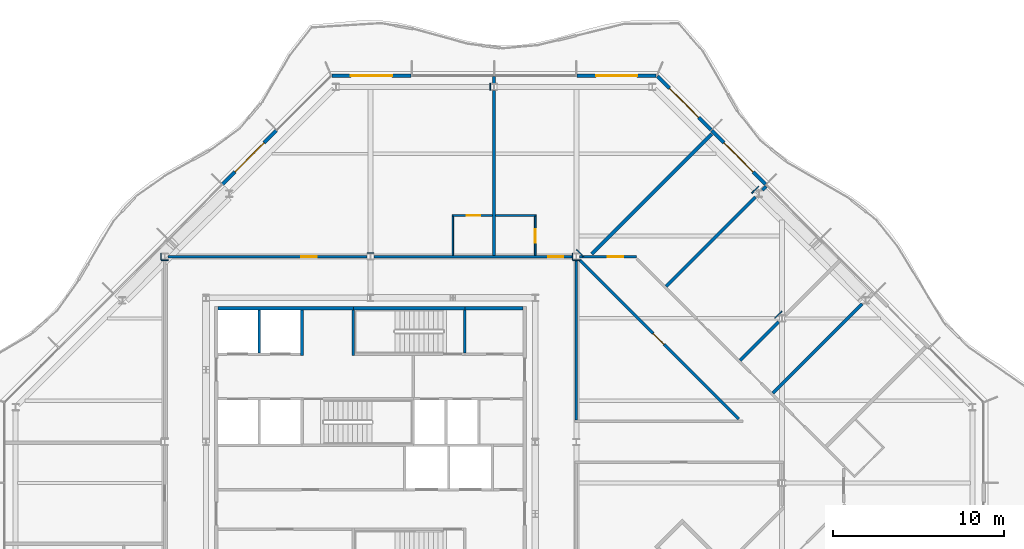
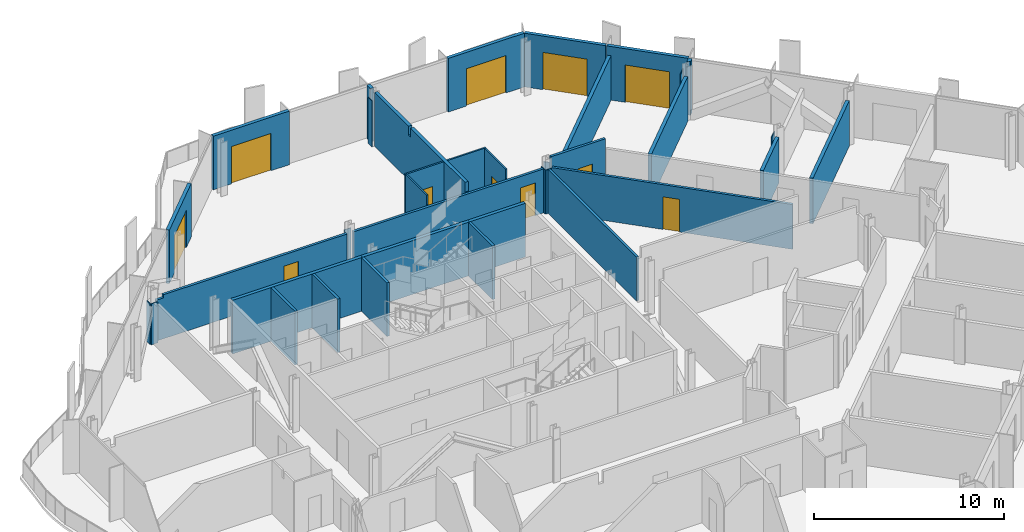
# One storey, part 11 of 17: 37 walls, 11 doors, 11 openings.
"""IFC4 building model written with IfcOpenShell, lengths in metres."""

from ifc_helpers import new_model, si_unit, direction, frame, frame_2d, origin, place, context, subcontext, project, spatial, polyline, rectangle, outline, extrude, material, layer, layer_set, type_object, element, fill, save


model = new_model("IFC4")

# Units and contexts
model_context = context("Model", 3, precision=1e-05, world=origin(), true_north=direction((0.0, 1.0)))
body_context = subcontext(model_context, "Body", "Model", "MODEL_VIEW")
ifc_project = project(units=[si_unit("LENGTHUNIT", "METRE"), si_unit("AREAUNIT", "SQUARE_METRE"), si_unit("VOLUMEUNIT", "CUBIC_METRE"), si_unit("PLANEANGLEUNIT", "RADIAN"), si_unit("MASSUNIT", "GRAM", prefix="KILO")], contexts=[model_context])

# Site, building, storey
site_placement = place(None, origin())
site = spatial("IfcSite", under=ifc_project, at=site_placement, CompositionType="ELEMENT")
building_placement = place(site_placement, origin())
building = spatial("IfcBuilding", under=site, at=building_placement, Name="Cairn Pilgrim Tower", CompositionType="ELEMENT")
storey_placement = place(building_placement, frame((0.0, 0.0, 250.199951171875)))
storey = spatial("IfcBuildingStorey", under=building, at=storey_placement, Name="L64", CompositionType="ELEMENT", Elevation=250.199951171875)

# Wall, opening, door
ifc_material_1 = material(Name="Bronze anodised aluminium insulated sandwich panel with mineral wool fill", Category="aluminium")
ifc_layer_1 = layer(ifc_material_1, 0.199951171875)
ifc_layer_set_1 = layer_set([ifc_layer_1], Name="BRONZE INFILL FRAME WALL 200")
wall_type_1 = type_object("IfcWallType", Name="BRONZE INFILL FRAME WALL 200", PredefinedType="NOTDEFINED", material=ifc_layer_set_1)
wall_1_placement = place(storey_placement, frame((30.226318359375, 17.419921875, 0.0), z_axis=(0.0, 0.0, 1.0), x_axis=(-0.707079231393, 0.707134329907, 0.0)))
wall_1 = element("IfcWall", 1, at=wall_1_placement, inside=storey, type_object=wall_type_1, Name="Bronze infill frame wall IW-NE5", PredefinedType="NOTDEFINED", context=body_context, shape_type="SweptSolid", body=[
    extrude(rectangle(XDim=4.430908203125, YDim=0.199951171875, at=frame_2d((2.21533203125, 0.0))), origin(), (0.0, 0.0, 1.0), 3.449951171875),
])
opening_1_placement = place(wall_1_placement, frame((1.01513671875, 0.0, 0.0)))
opening_1 = element("IfcOpeningElement", 2, at=opening_1_placement, cuts=wall_1, Name="Opening 6410B", PredefinedType="OPENING", context=body_context, shape_type="SweptSolid", body=[
    extrude(rectangle(XDim=2.39990234375, YDim=2.39990234375, at=frame_2d((1.199951171875, 1.199951171875))), frame((0.0, 0.10986328125, 0.0), z_axis=(0.0, -1.0, 0.0), x_axis=(1.0, 0.0, 0.0)), (0.0, 0.0, 1.0), 0.219970703125),
])
ifc_material_2 = material(Name="Bronze anodised aluminium frame with tinted low-E glass", Category="aluminium")
door_type_1 = type_object("IfcDoorType", Name="BALCONY SLIDING DOOR 2400x2400", OperationType="DOUBLE_DOOR_SLIDING", PredefinedType="DOOR", material=ifc_material_2)
door_1_placement = place(opening_1_placement, origin())
door_1 = element("IfcDoor", 3, at=door_1_placement, inside=storey, type_object=door_type_1, Name="Balcony sliding door 6410B", OperationType="SINGLE_SWING_LEFT", OverallHeight=2.39990234375, OverallWidth=2.39990234375, PredefinedType="DOOR", context=body_context, shape_type="SweptSolid", body=[
    extrude(rectangle(XDim=2.39990234375, YDim=2.39990234375, at=frame_2d((1.199951171875, 1.199951171875))), frame((0.0, 0.02490234375, 0.0), z_axis=(0.0, -1.0, 0.0), x_axis=(1.0, 0.0, 0.0)), (0.0, 0.0, 1.0), 0.050048828125),
])
fill(opening_1, door_1)

wall_2_placement = place(storey_placement, frame((27.05078125, 20.595703125, 0.0), z_axis=(0.0, 0.0, 1.0), x_axis=(-0.707106781187, 0.707106781187, 0.0)))
wall_2 = element("IfcWall", 4, at=wall_2_placement, inside=storey, type_object=wall_type_1, Name="Bronze infill frame wall IW-NE6", PredefinedType="NOTDEFINED", context=body_context, shape_type="SweptSolid", body=[
    extrude(rectangle(XDim=4.4208984375, YDim=0.199951171875, at=frame_2d((2.21044921875, 0.0))), origin(), (0.0, 0.0, 1.0), 3.449951171875),
])
opening_2_placement = place(wall_2_placement, frame((1.015625, 0.0, 0.0)))
opening_2 = element("IfcOpeningElement", 5, at=opening_2_placement, cuts=wall_2, Name="Opening 6411B2", PredefinedType="OPENING", context=body_context, shape_type="SweptSolid", body=[
    extrude(rectangle(XDim=2.39990234375, YDim=2.39990234375, at=frame_2d((1.199951171875, 1.199951171875))), frame((0.0, 0.10986328125, 0.0), z_axis=(0.0, -1.0, 0.0), x_axis=(1.0, 0.0, 0.0)), (0.0, 0.0, 1.0), 0.219970703125),
])
door_2_placement = place(opening_2_placement, origin())
door_2 = element("IfcDoor", 6, at=door_2_placement, inside=storey, type_object=door_type_1, Name="Balcony sliding door 6411B2", OperationType="SINGLE_SWING_LEFT", OverallHeight=2.39990234375, OverallWidth=2.39990234375, PredefinedType="DOOR", context=body_context, shape_type="SweptSolid", body=[
    extrude(rectangle(XDim=2.39990234375, YDim=2.39990234375, at=frame_2d((1.199951171875, 1.199951171875))), frame((0.0, 0.02490234375, 0.0), z_axis=(0.0, -1.0, 0.0), x_axis=(1.0, 0.0, 0.0)), (0.0, 0.0, 1.0), 0.050048828125),
])
fill(opening_2, door_2)

wall_3_placement = place(storey_placement, frame((23.8564453125, 23.75, 0.0), z_axis=(0.0, 0.0, 1.0), x_axis=(-1.0, 0.0, 0.0)))
wall_3 = element("IfcWall", 7, at=wall_3_placement, inside=storey, type_object=wall_type_1, Name="Bronze infill frame wall IW-N1", PredefinedType="NOTDEFINED", context=body_context, shape_type="SweptSolid", body=[
    extrude(rectangle(XDim=4.62646484375, YDim=0.199951171875, at=frame_2d((2.313232421875, 0.0))), origin(), (0.0, 0.0, 1.0), 3.449951171875),
])
opening_3_placement = place(wall_3_placement, frame((1.1083984375, 0.0, 0.0)))
opening_3 = element("IfcOpeningElement", 8, at=opening_3_placement, cuts=wall_3, Name="Opening 6411B", PredefinedType="OPENING", context=body_context, shape_type="SweptSolid", body=[
    extrude(rectangle(XDim=2.39990234375, YDim=2.39990234375, at=frame_2d((1.199951171875, 1.199951171875))), frame((0.0, 0.10986328125, 0.0), z_axis=(0.0, -1.0, 0.0), x_axis=(1.0, 0.0, 0.0)), (0.0, 0.0, 1.0), 0.219970703125),
])
door_3_placement = place(opening_3_placement, origin())
door_3 = element("IfcDoor", 9, at=door_3_placement, inside=storey, type_object=door_type_1, Name="Balcony sliding door 6411B", OperationType="SINGLE_SWING_LEFT", OverallHeight=2.39990234375, OverallWidth=2.39990234375, PredefinedType="DOOR", context=body_context, shape_type="SweptSolid", body=[
    extrude(rectangle(XDim=2.39990234375, YDim=2.39990234375, at=frame_2d((1.199951171875, 1.199951171875))), frame((0.0, 0.02490234375, 0.0), z_axis=(0.0, -1.0, 0.0), x_axis=(1.0, 0.0, 0.0)), (0.0, 0.0, 1.0), 0.050048828125),
])
fill(opening_3, door_3)

wall_4_placement = place(storey_placement, frame((9.570068359375, 23.75, 0.0), z_axis=(0.0, 0.0, 1.0), x_axis=(-1.0, 0.0, 0.0)))
wall_4 = element("IfcWall", 10, at=wall_4_placement, inside=storey, type_object=wall_type_1, Name="Bronze infill frame wall IW-N4", PredefinedType="NOTDEFINED", context=body_context, shape_type="SweptSolid", body=[
    extrude(rectangle(XDim=4.62646484375, YDim=0.199951171875, at=frame_2d((2.313232421875, 0.0))), origin(), (0.0, 0.0, 1.0), 3.449951171875),
])
opening_4_placement = place(wall_4_placement, frame((1.117919921875, 0.0, 0.0)))
opening_4 = element("IfcOpeningElement", 11, at=opening_4_placement, cuts=wall_4, Name="Opening 6412B", PredefinedType="OPENING", context=body_context, shape_type="SweptSolid", body=[
    extrude(rectangle(XDim=2.39990234375, YDim=2.39990234375, at=frame_2d((1.199951171875, 1.199951171875))), frame((0.0, 0.10986328125, 0.0), z_axis=(0.0, -1.0, 0.0), x_axis=(1.0, 0.0, 0.0)), (0.0, 0.0, 1.0), 0.219970703125),
])
door_4_placement = place(opening_4_placement, origin())
door_4 = element("IfcDoor", 12, at=door_4_placement, inside=storey, type_object=door_type_1, Name="Balcony sliding door 6412B", OperationType="SINGLE_SWING_LEFT", OverallHeight=2.39990234375, OverallWidth=2.39990234375, PredefinedType="DOOR", context=body_context, shape_type="SweptSolid", body=[
    extrude(rectangle(XDim=2.39990234375, YDim=2.39990234375, at=frame_2d((1.199951171875, 1.199951171875))), frame((0.0, 0.02490234375, 0.0), z_axis=(0.0, -1.0, 0.0), x_axis=(1.0, 0.0, 0.0)), (0.0, 0.0, 1.0), 0.050048828125),
])
fill(opening_4, door_4)

wall_5_placement = place(storey_placement, frame((1.706787109375, 20.55322265625, 0.0), z_axis=(0.0, 0.0, 1.0), x_axis=(-0.707106781187, -0.707106781187, 0.0)))
wall_5 = element("IfcWall", 13, at=wall_5_placement, inside=storey, type_object=wall_type_1, Name="Bronze infill frame wall IW-NW2", PredefinedType="NOTDEFINED", context=body_context, shape_type="SweptSolid", body=[
    extrude(rectangle(XDim=4.43115234375, YDim=0.199951171875, at=frame_2d((2.215576171875, 0.0))), origin(), (0.0, 0.0, 1.0), 3.449951171875),
])
opening_5_placement = place(wall_5_placement, frame((1.015380859375, 0.0, 0.0)))
opening_5 = element("IfcOpeningElement", 14, at=opening_5_placement, cuts=wall_5, Name="Opening 6412B2", PredefinedType="OPENING", context=body_context, shape_type="SweptSolid", body=[
    extrude(rectangle(XDim=2.39990234375, YDim=2.39990234375, at=frame_2d((1.199951171875, 1.199951171875))), frame((0.0, 0.10986328125, 0.0), z_axis=(0.0, -1.0, 0.0), x_axis=(1.0, 0.0, 0.0)), (0.0, 0.0, 1.0), 0.219970703125),
])
door_5_placement = place(opening_5_placement, origin())
door_5 = element("IfcDoor", 15, at=door_5_placement, inside=storey, type_object=door_type_1, Name="Balcony sliding door 6412B2", OperationType="SINGLE_SWING_LEFT", OverallHeight=2.39990234375, OverallWidth=2.39990234375, PredefinedType="DOOR", context=body_context, shape_type="SweptSolid", body=[
    extrude(rectangle(XDim=2.39990234375, YDim=2.39990234375, at=frame_2d((1.199951171875, 1.199951171875))), frame((0.0, 0.02490234375, 0.0), z_axis=(0.0, -1.0, 0.0), x_axis=(1.0, 0.0, 0.0)), (0.0, 0.0, 1.0), 0.050048828125),
])
fill(opening_5, door_5)

# Walls
ifc_material_3 = material(Name="Concrete C32/40", Category="concrete")
ifc_layer_2 = layer(ifc_material_3, 0.199951171875)
ifc_layer_set_2 = layer_set([ifc_layer_2], Name="CORE OUTER WALL 200 EI 120")
wall_type_2 = type_object("IfcWallType", Name="CORE OUTER WALL 200 EI 120", PredefinedType="SOLIDWALL", material=ifc_layer_set_2)
wall_6_placement = place(storey_placement, frame((-1.699951171875, 10.199951171875, 0.0), z_axis=(0.0, 0.0, 1.0), x_axis=(1.0, 0.0, 0.0)))
element("IfcWall", 16, at=wall_6_placement, inside=storey, type_object=wall_type_2, Name="CW:L64:H12-1", PredefinedType="SOLIDWALL", context=body_context, shape_type="SweptSolid", body=[
    extrude(rectangle(XDim=7.89990234375, YDim=0.199951171875, at=frame_2d((3.949951171875, 0.0))), origin(), (0.0, 0.0, 1.0), 3.449951171875),
])
wall_7_placement = place(storey_placement, frame((12.699951171875, 10.199951171875, 0.0), z_axis=(0.0, 0.0, 1.0), x_axis=(1.0, 0.0, 0.0)))
element("IfcWall", 17, at=wall_7_placement, inside=storey, type_object=wall_type_2, Name="CW:L64:H12-3", PredefinedType="SOLIDWALL", context=body_context, shape_type="SweptSolid", body=[
    extrude(rectangle(XDim=3.400146484375, YDim=0.199951171875, at=frame_2d((1.7001953125, 0.0))), origin(), (0.0, 0.0, 1.0), 3.449951171875),
])
ifc_layer_3 = layer(ifc_material_3, 0.14990234375)
ifc_layer_set_3 = layer_set([ifc_layer_3], Name="CORE SHAFT WALL 150 EI 120")
wall_type_3 = type_object("IfcWallType", Name="CORE SHAFT WALL 150 EI 120", PredefinedType="SOLIDWALL", material=ifc_layer_set_3)
wall_8_placement = place(storey_placement, frame((0.699951171875, 7.574951171875, 0.0), z_axis=(0.0, 0.0, 1.0), x_axis=(0.0, 1.0, 0.0)))
element("IfcWall", 18, at=wall_8_placement, inside=storey, type_object=wall_type_3, Name="CW:L64:V15", PredefinedType="SOLIDWALL", context=body_context, shape_type="SweptSolid", body=[
    extrude(rectangle(XDim=2.525146484375, YDim=0.14990234375, at=frame_2d((1.2626953125, 0.0))), origin(), (0.0, 0.0, 1.0), 3.449951171875),
])
wall_9_placement = place(storey_placement, frame((3.199951171875, 7.425048828125, 0.0), z_axis=(0.0, 0.0, 1.0), x_axis=(0.0, 1.0, 0.0)))
element("IfcWall", 19, at=wall_9_placement, inside=storey, type_object=wall_type_3, Name="CW:L64:V17", PredefinedType="SOLIDWALL", context=body_context, shape_type="SweptSolid", body=[
    extrude(rectangle(XDim=2.675048828125, YDim=0.14990234375, at=frame_2d((1.33740234375, 0.0))), origin(), (0.0, 0.0, 1.0), 3.449951171875),
])
ifc_material_4 = material(Name="Gypsum partition")
ifc_layer_4 = layer(ifc_material_4, 0.10009765625)
ifc_layer_set_4 = layer_set([ifc_layer_4], Name="PARTITION 100 DRYWALL")
wall_type_4 = type_object("IfcWallType", Name="PARTITION 100 DRYWALL", PredefinedType="PARTITIONING", material=ifc_layer_set_4)
wall_10_placement = place(storey_placement, frame((12.0, 13.27490234375, 0.0), z_axis=(0.0, 0.0, 1.0), x_axis=(0.0, 1.0, 0.0)))
element("IfcWall", 20, at=wall_10_placement, inside=storey, type_object=wall_type_4, Name="PARTITION W073", PredefinedType="PARTITIONING", context=body_context, shape_type="SweptSolid", body=[
    extrude(outline(polyline([(0.0, 0.0), (2.275146484375, 0.0), (2.27490234375, 3.449951171875), (0.074951171875, 3.449951171875), (0.072998046875, 2.830078125), (0.0, 2.830078125), (0.0, 0.0)])), frame((0.0, 0.050048828125, 0.0), z_axis=(0.0, -1.0, 0.0), x_axis=(1.0, 0.0, 0.0)), (0.0, 0.0, 1.0), 0.10009765625),
])

# Wall, opening, door
wall_11_placement = place(storey_placement, frame((16.800048828125, 13.27490234375, 0.0), z_axis=(0.0, 0.0, 1.0), x_axis=(0.0, 1.0, 0.0)))
wall_11 = element("IfcWall", 21, at=wall_11_placement, inside=storey, type_object=wall_type_4, Name="PARTITION W075", PredefinedType="PARTITIONING", context=body_context, shape_type="SweptSolid", body=[
    extrude(outline(polyline([(0.0, 0.0), (2.275146484375, 0.0), (2.27490234375, 3.449951171875), (0.074951171875, 3.449951171875), (0.072998046875, 2.830078125), (0.0, 2.830078125), (0.0, 0.0)])), frame((0.0, 0.050048828125, 0.0), z_axis=(0.0, -1.0, 0.0), x_axis=(1.0, 0.0, 0.0)), (0.0, 0.0, 1.0), 0.10009765625),
])
opening_6_placement = place(wall_11_placement, frame((0.72509765625, 0.0, 0.0)))
opening_6 = element("IfcOpeningElement", 22, at=opening_6_placement, cuts=wall_11, Name="Opening 6411A", PredefinedType="OPENING", context=body_context, shape_type="SweptSolid", body=[
    extrude(rectangle(XDim=0.800048828125, YDim=2.10009765625, at=frame_2d((0.39990234375, 1.050048828125))), frame((0.0, 0.06005859375, 0.0), z_axis=(0.0, -1.0, 0.0), x_axis=(1.0, 0.0, 0.0)), (0.0, 0.0, 1.0), 0.1201171875),
])
ifc_material_5 = material(Name="Timber door leaf", Category="wood")
door_type_2 = type_object("IfcDoorType", Name="WC DOOR 800x2100", OperationType="NOTDEFINED", PredefinedType="DOOR", material=ifc_material_5)
door_6_placement = place(opening_6_placement, frame((0.800048828125, 0.0, 0.0), z_axis=(0.0, 0.0, 1.0), x_axis=(-1.0, 0.0, 0.0)))
door_6 = element("IfcDoor", 23, at=door_6_placement, inside=storey, type_object=door_type_2, Name="DOOR 6411A", OperationType="SINGLE_SWING_LEFT", OverallHeight=2.10009765625, OverallWidth=0.800048828125, PredefinedType="DOOR", context=body_context, shape_type="SweptSolid", body=[
    extrude(rectangle(XDim=0.800048828125, YDim=2.10009765625, at=frame_2d((0.39990234375, 1.050048828125))), frame((0.0, 0.02490234375, 0.0), z_axis=(0.0, -1.0, 0.0), x_axis=(1.0, 0.0, 0.0)), (0.0, 0.0, 1.0), 0.050048828125),
])
fill(opening_6, door_6)

wall_12_placement = place(storey_placement, frame((11.949951171875, 15.60009765625, 0.0), z_axis=(0.0, 0.0, 1.0), x_axis=(1.0, 0.0, 0.0)))
wall_12 = element("IfcWall", 24, at=wall_12_placement, inside=storey, type_object=wall_type_4, Name="PARTITION W077", PredefinedType="PARTITIONING", context=body_context, shape_type="SweptSolid", body=[
    extrude(rectangle(XDim=2.35009765625, YDim=0.10009765625, at=frame_2d((1.175048828125, 0.0))), origin(), (0.0, 0.0, 1.0), 3.449951171875),
])
opening_7_placement = place(wall_12_placement, frame((0.85009765625, 0.0, 0.0)))
opening_7 = element("IfcOpeningElement", 25, at=opening_7_placement, cuts=wall_12, Name="Opening 6412A", PredefinedType="OPENING", context=body_context, shape_type="SweptSolid", body=[
    extrude(rectangle(XDim=0.800048828125, YDim=2.10009765625, at=frame_2d((0.39990234375, 1.050048828125))), frame((0.0, 0.06005859375, 0.0), z_axis=(0.0, -1.0, 0.0), x_axis=(1.0, 0.0, 0.0)), (0.0, 0.0, 1.0), 0.1201171875),
])
door_7_placement = place(opening_7_placement, origin())
door_7 = element("IfcDoor", 26, at=door_7_placement, inside=storey, type_object=door_type_2, Name="DOOR 6412A", OperationType="SINGLE_SWING_LEFT", OverallHeight=2.10009765625, OverallWidth=0.800048828125, PredefinedType="DOOR", context=body_context, shape_type="SweptSolid", body=[
    extrude(rectangle(XDim=0.800048828125, YDim=2.10009765625, at=frame_2d((0.39990234375, 1.050048828125))), frame((0.0, 0.02490234375, 0.0), z_axis=(0.0, -1.0, 0.0), x_axis=(1.0, 0.0, 0.0)), (0.0, 0.0, 1.0), 0.050048828125),
])
fill(opening_7, door_7)

# Walls
wall_13_placement = place(storey_placement, frame((14.5, 15.60009765625, 0.0), z_axis=(0.0, 0.0, 1.0), x_axis=(1.0, 0.0, 0.0)))
element("IfcWall", 27, at=wall_13_placement, inside=storey, type_object=wall_type_4, Name="PARTITION W078", PredefinedType="PARTITIONING", context=body_context, shape_type="SweptSolid", body=[
    extrude(rectangle(XDim=2.35009765625, YDim=0.10009765625, at=frame_2d((1.175048828125, 0.0))), origin(), (0.0, 0.0, 1.0), 3.449951171875),
])
ifc_layer_5 = layer(ifc_material_4, 0.14990234375)
ifc_layer_set_5 = layer_set([ifc_layer_5], Name="PARTITION 150 DRYWALL EI 60")
wall_type_5 = type_object("IfcWallType", Name="PARTITION 150 DRYWALL EI 60", PredefinedType="PARTITIONING", material=ifc_layer_set_5)
wall_14_placement = place(storey_placement, frame((19.199951171875, 3.675048828125, 0.0), z_axis=(0.0, 0.0, 1.0), x_axis=(0.0, 1.0, 0.0)))
element("IfcWall", 28, at=wall_14_placement, inside=storey, type_object=wall_type_5, Name="PARTITION W063", PredefinedType="PARTITIONING", context=body_context, shape_type="SweptSolid", body=[
    extrude(rectangle(XDim=9.33740234375, YDim=0.14990234375, at=frame_2d((4.668701171875, 0.0))), origin(), (0.0, 0.0, 1.0), 2.830078125),
])

# Wall, opening, door
wall_15_placement = place(storey_placement, frame((28.672119140625, 3.72802734375, 0.0), z_axis=(0.0, 0.0, 1.0), x_axis=(-0.707106781187, 0.707106781187, 0.0)))
wall_15 = element("IfcWall", 29, at=wall_15_placement, inside=storey, type_object=wall_type_5, Name="PARTITION W064", PredefinedType="PARTITIONING", context=body_context, shape_type="SweptSolid", body=[
    extrude(rectangle(XDim=13.12353515625, YDim=0.14990234375, at=frame_2d((6.561767578125, 0.0))), origin(), (0.0, 0.0, 1.0), 2.880126953125),
])
opening_8_placement = place(wall_15_placement, frame((6.156982421875, 0.0, 0.0)))
opening_8 = element("IfcOpeningElement", 30, at=opening_8_placement, cuts=wall_15, Name="Opening 6419", PredefinedType="OPENING", context=body_context, shape_type="SweptSolid", body=[
    extrude(rectangle(XDim=0.89990234375, YDim=2.10009765625, at=frame_2d((0.449951171875, 1.050048828125))), frame((0.0, 0.0849609375, 0.0), z_axis=(0.0, -1.0, 0.0), x_axis=(1.0, 0.0, 0.0)), (0.0, 0.0, 1.0), 0.169921875),
])
door_type_3 = type_object("IfcDoorType", Name="SERVICE DOOR 900x2100 FD30S", OperationType="NOTDEFINED", PredefinedType="DOOR", material=ifc_material_5)
door_8_placement = place(opening_8_placement, origin())
door_8 = element("IfcDoor", 31, at=door_8_placement, inside=storey, type_object=door_type_3, Name="DOOR 6419", OperationType="SINGLE_SWING_LEFT", OverallHeight=2.10009765625, OverallWidth=0.89990234375, PredefinedType="DOOR", context=body_context, shape_type="SweptSolid", body=[
    extrude(rectangle(XDim=0.89990234375, YDim=2.10009765625, at=frame_2d((0.449951171875, 1.050048828125))), frame((0.0, 0.02490234375, 0.0), z_axis=(0.0, -1.0, 0.0), x_axis=(1.0, 0.0, 0.0)), (0.0, 0.0, 1.0), 0.050048828125),
])
fill(opening_8, door_8)

wall_16_placement = place(storey_placement, frame((-4.60302734375, 13.199951171875, 0.0), z_axis=(0.0, 0.0, 1.0), x_axis=(1.0, 0.0, 0.0)))
wall_16 = element("IfcWall", 32, at=wall_16_placement, inside=storey, type_object=wall_type_5, Name="PARTITION W070", PredefinedType="PARTITIONING", context=body_context, shape_type="SweptSolid", body=[
    extrude(outline(polyline([(0.0, 0.0), (11.60595703125, 0.0), (11.60595703125, 2.830078125), (0.44580078125, 2.830078125), (0.44384765625, 2.630126953125), (0.0, 2.630126953125), (0.0, 0.0)])), frame((0.0, 0.074951171875, 0.0), z_axis=(0.0, -1.0, 0.0), x_axis=(1.0, 0.0, 0.0)), (0.0, 0.0, 1.0), 0.14990234375),
])
opening_9_placement = place(wall_16_placement, frame((7.7529296875, 0.0, 0.0)))
opening_9 = element("IfcOpeningElement", 33, at=opening_9_placement, cuts=wall_16, Name="Opening 6412", PredefinedType="OPENING", context=body_context, shape_type="SweptSolid", body=[
    extrude(rectangle(XDim=0.89990234375, YDim=2.10009765625, at=frame_2d((0.449951171875, 1.050048828125))), frame((0.0, 0.0849609375, 0.0), z_axis=(0.0, -1.0, 0.0), x_axis=(1.0, 0.0, 0.0)), (0.0, 0.0, 1.0), 0.169921875),
])
door_type_4 = type_object("IfcDoorType", Name="ROOM DOOR 900x2100 FD30S", OperationType="NOTDEFINED", PredefinedType="DOOR", material=ifc_material_5)
door_9_placement = place(opening_9_placement, origin())
door_9 = element("IfcDoor", 34, at=door_9_placement, inside=storey, type_object=door_type_4, Name="DOOR 6412", OperationType="SINGLE_SWING_LEFT", OverallHeight=2.10009765625, OverallWidth=0.89990234375, PredefinedType="DOOR", context=body_context, shape_type="SweptSolid", body=[
    extrude(rectangle(XDim=0.89990234375, YDim=2.10009765625, at=frame_2d((0.449951171875, 1.050048828125))), frame((0.0, 0.02490234375, 0.0), z_axis=(0.0, -1.0, 0.0), x_axis=(1.0, 0.0, 0.0)), (0.0, 0.0, 1.0), 0.050048828125),
])
fill(opening_9, door_9)

wall_17_placement = place(storey_placement, frame((7.39697265625, 13.199951171875, 0.0), z_axis=(0.0, 0.0, 1.0), x_axis=(1.0, 0.0, 0.0)))
wall_17 = element("IfcWall", 35, at=wall_17_placement, inside=storey, type_object=wall_type_5, Name="PARTITION W071", PredefinedType="PARTITIONING", context=body_context, shape_type="SweptSolid", body=[
    extrude(rectangle(XDim=11.60595703125, YDim=0.14990234375, at=frame_2d((5.802978515625, 0.0))), origin(), (0.0, 0.0, 1.0), 2.830078125),
])
opening_10_placement = place(wall_17_placement, frame((10.153076171875, 0.0, 0.0)))
opening_10 = element("IfcOpeningElement", 36, at=opening_10_placement, cuts=wall_17, Name="Opening 6411", PredefinedType="OPENING", context=body_context, shape_type="SweptSolid", body=[
    extrude(rectangle(XDim=0.89990234375, YDim=2.10009765625, at=frame_2d((0.449951171875, 1.050048828125))), frame((0.0, 0.0849609375, 0.0), z_axis=(0.0, -1.0, 0.0), x_axis=(1.0, 0.0, 0.0)), (0.0, 0.0, 1.0), 0.169921875),
])
door_10_placement = place(opening_10_placement, origin())
door_10 = element("IfcDoor", 37, at=door_10_placement, inside=storey, type_object=door_type_4, Name="DOOR 6411", OperationType="SINGLE_SWING_LEFT", OverallHeight=2.10009765625, OverallWidth=0.89990234375, PredefinedType="DOOR", context=body_context, shape_type="SweptSolid", body=[
    extrude(rectangle(XDim=0.89990234375, YDim=2.10009765625, at=frame_2d((0.449951171875, 1.050048828125))), frame((0.0, 0.02490234375, 0.0), z_axis=(0.0, -1.0, 0.0), x_axis=(1.0, 0.0, 0.0)), (0.0, 0.0, 1.0), 0.050048828125),
])
fill(opening_10, door_10)

wall_18_placement = place(storey_placement, frame((19.39697265625, 13.199951171875, 0.0), z_axis=(0.0, 0.0, 1.0), x_axis=(1.0, 0.0, 0.0)))
wall_18 = element("IfcWall", 38, at=wall_18_placement, inside=storey, type_object=wall_type_5, Name="PARTITION W072", PredefinedType="PARTITIONING", context=body_context, shape_type="SweptSolid", body=[
    extrude(rectangle(XDim=3.30322265625, YDim=0.14990234375, at=frame_2d((1.651611328125, 0.0))), origin(), (0.0, 0.0, 1.0), 3.449951171875),
])
opening_11_placement = place(wall_18_placement, frame((1.6259765625, 0.0, 0.0)))
opening_11 = element("IfcOpeningElement", 39, at=opening_11_placement, cuts=wall_18, Name="Opening 6410", PredefinedType="OPENING", context=body_context, shape_type="SweptSolid", body=[
    extrude(rectangle(XDim=0.89990234375, YDim=2.10009765625, at=frame_2d((0.449951171875, 1.050048828125))), frame((0.0, 0.0849609375, 0.0), z_axis=(0.0, -1.0, 0.0), x_axis=(1.0, 0.0, 0.0)), (0.0, 0.0, 1.0), 0.169921875),
])
door_11_placement = place(opening_11_placement, origin())
door_11 = element("IfcDoor", 40, at=door_11_placement, inside=storey, type_object=door_type_3, Name="DOOR 6410", OperationType="SINGLE_SWING_LEFT", OverallHeight=2.10009765625, OverallWidth=0.89990234375, PredefinedType="DOOR", context=body_context, shape_type="SweptSolid", body=[
    extrude(rectangle(XDim=0.89990234375, YDim=2.10009765625, at=frame_2d((0.449951171875, 1.050048828125))), frame((0.0, 0.02490234375, 0.0), z_axis=(0.0, -1.0, 0.0), x_axis=(1.0, 0.0, 0.0)), (0.0, 0.0, 1.0), 0.050048828125),
])
fill(opening_11, door_11)

# Walls
ifc_layer_6 = layer(ifc_material_4, 0.050048828125)
ifc_layer_set_6 = layer_set([ifc_layer_6], Name="PARTITION 50 DRYWALL EI 60")
wall_type_6 = type_object("IfcWallType", Name="PARTITION 50 DRYWALL EI 60", PredefinedType="PARTITIONING", material=ifc_layer_set_6)
wall_19_placement = place(storey_placement, frame((-5.02197265625, 13.012451171875, 0.0), z_axis=(0.0, 0.0, 1.0), x_axis=(0.0, 1.0, 0.0)))
element("IfcWall", 41, at=wall_19_placement, inside=storey, type_object=wall_type_6, Name="COLUMN CASING WC08", PredefinedType="PARTITIONING", context=body_context, shape_type="SweptSolid", body=[
    extrude(rectangle(XDim=0.375, YDim=0.050048828125, at=frame_2d((0.1875, 0.0))), origin(), (0.0, 0.0, 1.0), 2.630126953125),
])
wall_20_placement = place(storey_placement, frame((18.97802734375, 13.012451171875, 0.0), z_axis=(0.0, 0.0, 1.0), x_axis=(0.0, 1.0, 0.0)))
element("IfcWall", 42, at=wall_20_placement, inside=storey, type_object=wall_type_6, Name="COLUMN CASING WC15", PredefinedType="PARTITIONING", context=body_context, shape_type="SweptSolid", body=[
    extrude(rectangle(XDim=0.375, YDim=0.050048828125, at=frame_2d((0.1875, 0.0))), origin(), (0.0, 0.0, 1.0), 2.830078125),
])
wall_21_placement = place(storey_placement, frame((19.602294921875, 13.2177734375, 0.0), z_axis=(0.0, 0.0, 1.0), x_axis=(-0.707106781187, 0.707106781187, 0.0)))
element("IfcWall", 43, at=wall_21_placement, inside=storey, type_object=wall_type_6, Name="COLUMN CASING WC16", PredefinedType="PARTITIONING", context=body_context, shape_type="SweptSolid", body=[
    extrude(rectangle(XDim=0.543701171875, YDim=0.050048828125, at=frame_2d((0.27197265625, 0.0))), origin(), (0.0, 0.0, 1.0), 2.929931640625),
])
wall_22_placement = place(storey_placement, frame((30.786376953125, 9.61767578125, 0.0), z_axis=(0.0, 0.0, 1.0), x_axis=(0.707106781187, 0.707106781187, 0.0)))
element("IfcWall", 44, at=wall_22_placement, inside=storey, type_object=wall_type_6, Name="COLUMN CASING WC18", PredefinedType="PARTITIONING", context=body_context, shape_type="SweptSolid", body=[
    extrude(rectangle(XDim=0.56005859375, YDim=0.050048828125, at=frame_2d((0.280029296875, 0.0))), origin(), (0.0, 0.0, 1.0), 2.880126953125),
])
wall_23_placement = place(storey_placement, frame((29.42822265625, 16.893310546875, 0.0), z_axis=(0.0, 0.0, 1.0), x_axis=(0.707106781187, 0.707106781187, 0.0)))
element("IfcWall", 45, at=wall_23_placement, inside=storey, type_object=wall_type_6, Name="COLUMN CASING WC19", PredefinedType="PARTITIONING", context=body_context, shape_type="SweptSolid", body=[
    extrude(rectangle(XDim=0.573486328125, YDim=0.050048828125, at=frame_2d((0.28662109375, 0.0))), origin(), (0.0, 0.0, 1.0), 2.929931640625),
])
wall_24_placement = place(storey_placement, frame((-4.9970703125, 12.987548828125, 0.0), z_axis=(0.0, 0.0, 1.0), x_axis=(1.0, 0.0, 0.0)))
element("IfcWall", 46, at=wall_24_placement, inside=storey, type_object=wall_type_6, Name="COLUMN CASING WC20", PredefinedType="PARTITIONING", context=body_context, shape_type="SweptSolid", body=[
    extrude(rectangle(XDim=0.39404296875, YDim=0.050048828125, at=frame_2d((0.197021484375, 0.0))), origin(), (0.0, 0.0, 1.0), 2.630126953125),
])
wall_25_placement = place(storey_placement, frame((7.0029296875, 13.41259765625, 0.0), z_axis=(0.0, 0.0, 1.0), x_axis=(1.0, 0.0, 0.0)))
element("IfcWall", 47, at=wall_25_placement, inside=storey, type_object=wall_type_6, Name="COLUMN CASING WC21", PredefinedType="PARTITIONING", context=body_context, shape_type="SweptSolid", body=[
    extrude(rectangle(XDim=0.39404296875, YDim=0.050048828125, at=frame_2d((0.197021484375, 0.0))), origin(), (0.0, 0.0, 1.0), 2.929931640625),
])
wall_26_placement = place(storey_placement, frame((19.0029296875, 12.987548828125, 0.0), z_axis=(0.0, 0.0, 1.0), x_axis=(1.0, 0.0, 0.0)))
element("IfcWall", 48, at=wall_26_placement, inside=storey, type_object=wall_type_6, Name="COLUMN CASING WC22", PredefinedType="PARTITIONING", context=body_context, shape_type="SweptSolid", body=[
    extrude(rectangle(XDim=0.39404296875, YDim=0.050048828125, at=frame_2d((0.197021484375, 0.0))), origin(), (0.0, 0.0, 1.0), 2.830078125),
])
wall_27_placement = place(storey_placement, frame((14.173095703125, 22.896484375, 0.0), z_axis=(0.0, 0.0, 1.0), x_axis=(0.0, 1.0, 0.0)))
element("IfcWall", 49, at=wall_27_placement, inside=storey, type_object=wall_type_6, Name="COLUMN CASING WC23", PredefinedType="PARTITIONING", context=body_context, shape_type="SweptSolid", body=[
    extrude(rectangle(XDim=0.406982421875, YDim=0.050048828125, at=frame_2d((0.20361328125, 0.0))), origin(), (0.0, 0.0, 1.0), 2.929931640625),
])
ifc_layer_7 = layer(ifc_material_4, 0.199951171875)
ifc_layer_set_7 = layer_set([ifc_layer_7], Name="SHAFT WALL 200 GYPSUM EI 60")
wall_type_7 = type_object("IfcWallType", Name="SHAFT WALL 200 GYPSUM EI 60", PredefinedType="PARTITIONING", material=ifc_layer_set_7)
wall_28_placement = place(storey_placement, frame((30.662109375, 5.238037109375, 0.0), z_axis=(0.0, 0.0, 1.0), x_axis=(0.707106781187, 0.707106781187, 0.0)))
element("IfcWall", 50, at=wall_28_placement, inside=storey, type_object=wall_type_7, Name="PARTITION W065", PredefinedType="PARTITIONING", context=body_context, shape_type="SweptSolid", body=[
    extrude(rectangle(XDim=7.369140625, YDim=0.199951171875, at=frame_2d((3.6845703125, 0.0))), origin(), (0.0, 0.0, 1.0), 2.929931640625),
])
wall_29_placement = place(storey_placement, frame((28.75, 7.14990234375, 0.0), z_axis=(0.0, 0.0, 1.0), x_axis=(0.7070684525, 0.707145107796, 0.0)))
element("IfcWall", 51, at=wall_29_placement, inside=storey, type_object=wall_type_7, Name="PARTITION W066", PredefinedType="PARTITIONING", context=body_context, shape_type="SweptSolid", body=[
    extrude(rectangle(XDim=3.184814453125, YDim=0.199951171875, at=frame_2d((1.59228515625, 0.0))), origin(), (0.0, 0.0, 1.0), 2.929931640625),
])
wall_30_placement = place(storey_placement, frame((24.43798828125, 11.4619140625, 0.0), z_axis=(0.0, 0.0, 1.0), x_axis=(0.707090216072, 0.707123345913, 0.0)))
element("IfcWall", 52, at=wall_30_placement, inside=storey, type_object=wall_type_7, Name="PARTITION W069", PredefinedType="PARTITIONING", context=body_context, shape_type="SweptSolid", body=[
    extrude(rectangle(XDim=7.369140625, YDim=0.199951171875, at=frame_2d((3.6845703125, 0.0))), origin(), (0.0, 0.0, 1.0), 2.880126953125),
])
wall_31_placement = place(storey_placement, frame((14.39990234375, 13.27490234375, 0.0), z_axis=(0.0, 0.0, 1.0), x_axis=(0.0, 1.0, 0.0)))
element("IfcWall", 53, at=wall_31_placement, inside=storey, type_object=wall_type_7, Name="PARTITION W074", PredefinedType="PARTITIONING", context=body_context, shape_type="SweptSolid", body=[
    extrude(outline(polyline([(0.0, 0.0), (9.62158203125, 0.0), (9.62158203125, 3.449951171875), (6.030029296875, 3.449951171875), (6.028076171875, 2.880126953125), (5.820068359375, 2.880126953125), (5.818115234375, 3.449951171875), (0.074951171875, 3.449951171875), (0.072998046875, 2.830078125), (0.0, 2.830078125), (0.0, 0.0)])), frame((0.0, 0.10009765625, 0.0), z_axis=(0.0, -1.0, 0.0), x_axis=(1.0, 0.0, 0.0)), (0.0, 0.0, 1.0), 0.199951171875),
])
wall_32_placement = place(storey_placement, frame((20.09765625, 13.345703125, 0.0), z_axis=(0.0, 0.0, 1.0), x_axis=(0.707119095079, 0.70709446708, 0.0)))
element("IfcWall", 54, at=wall_32_placement, inside=storey, type_object=wall_type_7, Name="PARTITION W076", PredefinedType="PARTITIONING", context=body_context, shape_type="SweptSolid", body=[
    extrude(rectangle(XDim=9.9130859375, YDim=0.199951171875, at=frame_2d((4.95654296875, 0.0))), origin(), (0.0, 0.0, 1.0), 2.880126953125),
])
wall_33_placement = place(storey_placement, frame((30.054443359375, 17.078369140625, 0.0), z_axis=(0.0, 0.0, 1.0), x_axis=(0.707106781187, 0.707106781187, 0.0)))
element("IfcWall", 55, at=wall_33_placement, inside=storey, type_object=wall_type_7, Name="PARTITION W079", PredefinedType="PARTITIONING", context=body_context, shape_type="SweptSolid", body=[
    extrude(rectangle(XDim=0.30322265625, YDim=0.199951171875, at=frame_2d((0.151611328125, 0.0))), origin(), (0.0, 0.0, 1.0), 3.449951171875),
])
wall_34_placement = place(storey_placement, frame((14.39990234375, 23.303466796875, 0.0), z_axis=(0.0, 0.0, 1.0), x_axis=(0.0, 1.0, 0.0)))
element("IfcWall", 56, at=wall_34_placement, inside=storey, type_object=wall_type_7, Name="PARTITION W080", PredefinedType="PARTITIONING", context=body_context, shape_type="SweptSolid", body=[
    extrude(rectangle(XDim=0.386474609375, YDim=0.199951171875, at=frame_2d((0.193359375, 0.0))), origin(), (0.0, 0.0, 1.0), 3.449951171875),
])
ifc_material_6 = material(Name="Concrete C35/45", Category="concrete")
ifc_layer_8 = layer(ifc_material_6, 0.14990234375)
ifc_layer_set_8 = layer_set([ifc_layer_8], Name="STAIR SHAFT WALL 150 EI 120")
wall_type_8 = type_object("IfcWallType", Name="STAIR SHAFT WALL 150 EI 120", PredefinedType="SOLIDWALL", material=ifc_layer_set_8)
wall_35_placement = place(storey_placement, frame((6.199951171875, 7.425048828125, 0.0), z_axis=(0.0, 0.0, 1.0), x_axis=(0.0, 1.0, 0.0)))
element("IfcWall", 57, at=wall_35_placement, inside=storey, type_object=wall_type_8, Name="CW:L64:V19", PredefinedType="SOLIDWALL", context=body_context, shape_type="SweptSolid", body=[
    extrude(rectangle(XDim=2.675048828125, YDim=0.14990234375, at=frame_2d((1.33740234375, 0.0))), origin(), (0.0, 0.0, 1.0), 3.449951171875),
])
wall_36_placement = place(storey_placement, frame((12.699951171875, 7.574951171875, 0.0), z_axis=(0.0, 0.0, 1.0), x_axis=(0.0, 1.0, 0.0)))
element("IfcWall", 58, at=wall_36_placement, inside=storey, type_object=wall_type_8, Name="CW:L64:V26", PredefinedType="SOLIDWALL", context=body_context, shape_type="SweptSolid", body=[
    extrude(rectangle(XDim=2.525146484375, YDim=0.14990234375, at=frame_2d((1.2626953125, 0.0))), origin(), (0.0, 0.0, 1.0), 3.449951171875),
])
ifc_layer_9 = layer(ifc_material_6, 0.199951171875)
ifc_layer_set_9 = layer_set([ifc_layer_9], Name="STAIR SHAFT WALL 200 EI 120")
wall_type_9 = type_object("IfcWallType", Name="STAIR SHAFT WALL 200 EI 120", PredefinedType="SOLIDWALL", material=ifc_layer_set_9)
wall_37_placement = place(storey_placement, frame((6.199951171875, 10.199951171875, 0.0), z_axis=(0.0, 0.0, 1.0), x_axis=(1.0, 0.0, 0.0)))
element("IfcWall", 59, at=wall_37_placement, inside=storey, type_object=wall_type_9, Name="CW:L64:H12-2", PredefinedType="SOLIDWALL", context=body_context, shape_type="SweptSolid", body=[
    extrude(rectangle(XDim=6.5, YDim=0.199951171875, at=frame_2d((3.25, 0.0))), origin(), (0.0, 0.0, 1.0), 3.449951171875),
])

save(model, "model.ifc")
